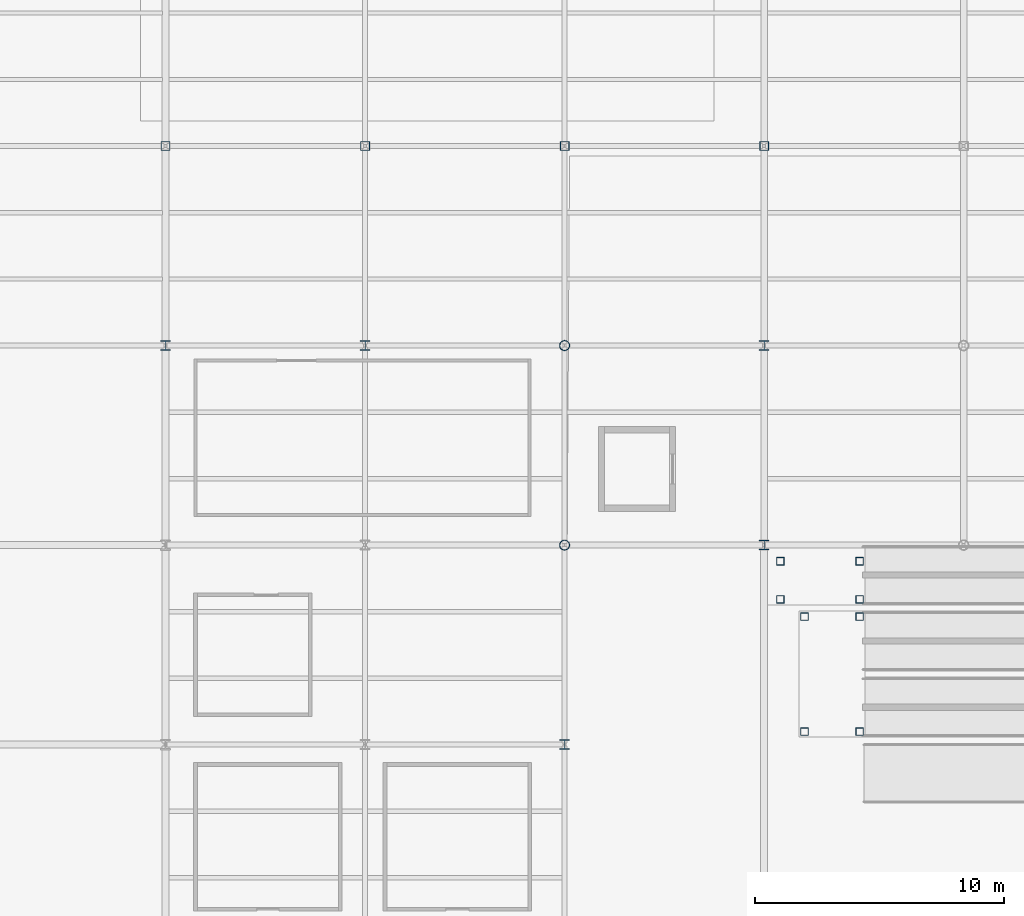
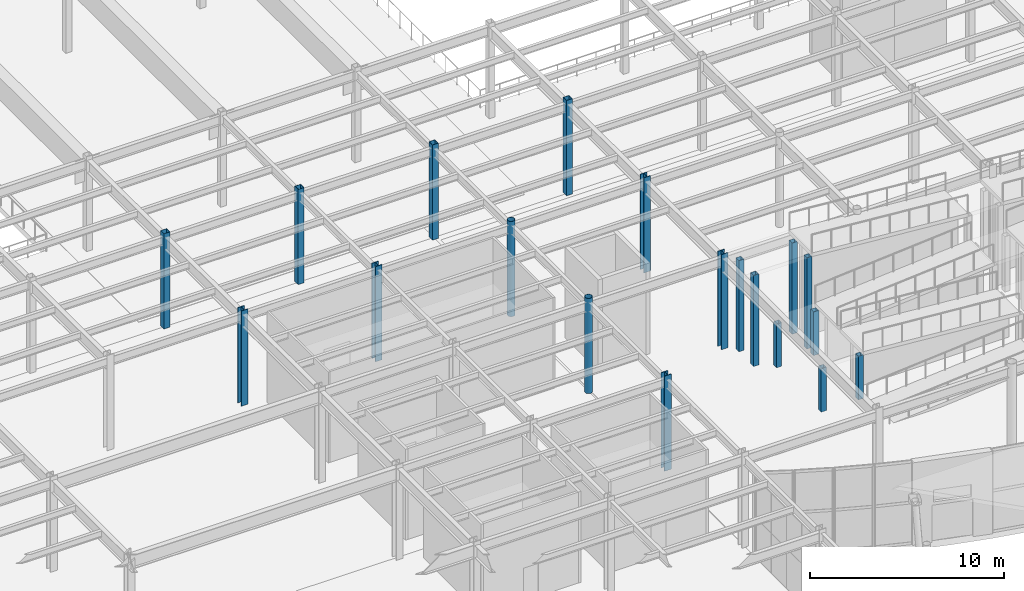
# One storey, part 8 of 82: 19 columns.
"""IFC4 building model written with IfcOpenShell, lengths in metres."""

from ifc_helpers import new_model, si_unit, direction, frame, origin, origin_2d, place, context, subcontext, project, spatial, hollow_rectangle, hollow_circle, i_section, extrude, material, material_profile, profile_set, type_object, element, save


model = new_model("IFC4")

# Units and contexts
model_context = context("Model", 3, precision=1e-05, world=origin(), true_north=direction((0.0, 1.0)))
body_context = subcontext(model_context, "Body", "Model", "MODEL_VIEW")
ifc_project = project(units=[si_unit("LENGTHUNIT", "METRE"), si_unit("AREAUNIT", "SQUARE_METRE"), si_unit("VOLUMEUNIT", "CUBIC_METRE"), si_unit("PLANEANGLEUNIT", "RADIAN"), si_unit("MASSUNIT", "GRAM", prefix="KILO")], contexts=[model_context])

# Site, building, storey
site_placement = place(None, origin())
site = spatial("IfcSite", under=ifc_project, at=site_placement, CompositionType="ELEMENT")
building_placement = place(site_placement, origin())
building = spatial("IfcBuilding", under=site, at=building_placement, Name="Drelvath Fold Interchange", CompositionType="ELEMENT")
storey_placement = place(building_placement, origin())
storey = spatial("IfcBuildingStorey", under=building, at=storey_placement, Name="L00", CompositionType="ELEMENT", Elevation=0.0)

# Columns
ifc_material_1 = material(Name="Steel ASTM A500 Grade C", Category="steel")
ifc_material_profile_1 = material_profile(ifc_material_1, hollow_circle(Radius=0.202880859375, WallThickness=0.014892578125, at=origin_2d()), Name="HSS16.000X0.625")
ifc_profile_set_1 = profile_set([ifc_material_profile_1], Name="Steel ASTM A500 Grade C")
column_type_1 = type_object("IfcColumnType", Name="COL-CHS406", PredefinedType="COLUMN", material=ifc_profile_set_1)
for number, where, z_axis, x_axis, name in (
    (1, (52.0, 43.0, 0.0), (0.0, 0.0, 1.0), (1.0, 0.0, 0.0), "L00 column (52,43)"),
    (2, (52.0, 51.0, 0.0), (0.0, 0.0, 1.0), (1.0, 0.0, 0.0), "L00 column (52,51)"),
):
    element("IfcColumn", number, at=place(storey_placement, frame(where, z_axis=z_axis, x_axis=x_axis)), inside=storey, type_object=column_type_1, Name=name, PredefinedType="COLUMN", context=body_context, shape_type="SweptSolid", body=[
        extrude(hollow_circle(Radius=0.202880859375, WallThickness=0.014892578125, at=origin_2d()), origin(), (0.0, 0.0, 1.0), 6.0),
    ])
ifc_material_profile_2 = material_profile(ifc_material_1, hollow_rectangle(XDim=0.304931640625, YDim=0.304931640625, WallThickness=0.01171875, at=origin_2d()), Name="HSS12X12X1/2")
ifc_profile_set_2 = profile_set([ifc_material_profile_2], Name="Steel ASTM A500 Grade C")
column_type_2 = type_object("IfcColumnType", Name="COL-HSS305", PredefinedType="COLUMN", material=ifc_profile_set_2)
for number, where, z_axis, x_axis, name in (
    (3, (61.6201171875, 35.52001953125, 0.0), (0.0, 0.0, 1.0), (1.0, 0.0, 0.0), "Promenade ramp landing 4 corner post 1"),
    (4, (63.830078125, 35.52001953125, 0.0), (0.0, 0.0, 1.0), (1.0, 0.0, 0.0), "Promenade ramp landing 4 corner post 2"),
    (5, (63.830078125, 40.1298828125, 0.0), (0.0, 0.0, 1.0), (1.0, 0.0, 0.0), "Promenade ramp landing 4 corner post 3"),
    (6, (61.6201171875, 40.1298828125, 0.0), (0.0, 0.0, 1.0), (1.0, 0.0, 0.0), "Promenade ramp landing 4 corner post 4"),
):
    element("IfcColumn", number, at=place(storey_placement, frame(where, z_axis=z_axis, x_axis=x_axis)), inside=storey, type_object=column_type_2, Name=name, PredefinedType="COLUMN", context=body_context, shape_type="SweptSolid", body=[
        extrude(hollow_rectangle(XDim=0.304931640625, YDim=0.304931640625, WallThickness=0.01171875, at=origin_2d()), origin(), (0.0, 0.0, 1.0), 2.75),
    ])
for number, where, z_axis, x_axis, name in (
    (7, (60.64990234375, 40.820068359375, 0.0), (0.0, 0.0, 1.0), (1.0, 0.0, 0.0), "Promenade ramp landing 8 corner post 1"),
    (8, (63.830078125, 40.820068359375, 0.0), (0.0, 0.0, 1.0), (1.0, 0.0, 0.0), "Promenade ramp landing 8 corner post 2"),
    (9, (63.830078125, 42.35009765625, 0.0), (0.0, 0.0, 1.0), (1.0, 0.0, 0.0), "Promenade ramp landing 8 corner post 3"),
    (10, (60.64990234375, 42.35009765625, 0.0), (0.0, 0.0, 1.0), (1.0, 0.0, 0.0), "Promenade ramp landing 8 corner post 4"),
):
    element("IfcColumn", number, at=place(storey_placement, frame(where, z_axis=z_axis, x_axis=x_axis)), inside=storey, type_object=column_type_2, Name=name, PredefinedType="COLUMN", context=body_context, shape_type="SweptSolid", body=[
        extrude(hollow_rectangle(XDim=0.304931640625, YDim=0.304931640625, WallThickness=0.01171875, at=origin_2d()), origin(), (0.0, 0.0, 1.0), 5.75),
    ])
ifc_material_profile_3 = material_profile(ifc_material_1, hollow_rectangle(XDim=0.35595703125, YDim=0.35595703125, WallThickness=0.014892578125, at=origin_2d()), Name="HSS14X14X5/8")
ifc_profile_set_3 = profile_set([ifc_material_profile_3], Name="Steel ASTM A500 Grade C")
column_type_3 = type_object("IfcColumnType", Name="COL-HSS356", PredefinedType="COLUMN", material=ifc_profile_set_3)
for number, where, z_axis, x_axis, name in (
    (11, (36.0, 59.0, 0.0), (0.0, 0.0, 1.0), (1.0, 0.0, 0.0), "L00 column (36,59)"),
    (12, (44.0, 59.0, 0.0), (0.0, 0.0, 1.0), (1.0, 0.0, 0.0), "L00 column (44,59)"),
    (13, (52.0, 59.0, 0.0), (0.0, 0.0, 1.0), (1.0, 0.0, 0.0), "L00 column (52,59)"),
    (14, (60.0, 59.0, 0.0), (0.0, 0.0, 1.0), (1.0, 0.0, 0.0), "L00 column (60,59)"),
):
    element("IfcColumn", number, at=place(storey_placement, frame(where, z_axis=z_axis, x_axis=x_axis)), inside=storey, type_object=column_type_3, Name=name, PredefinedType="COLUMN", context=body_context, shape_type="SweptSolid", body=[
        extrude(hollow_rectangle(XDim=0.35595703125, YDim=0.35595703125, WallThickness=0.014892578125, at=origin_2d()), origin(), (0.0, 0.0, 1.0), 6.0),
    ])
ifc_material_2 = material(Name="Steel ASTM A992 Grade 50", Category="steel")
ifc_material_profile_4 = material_profile(ifc_material_2, i_section(OverallWidth=0.39892578125, OverallDepth=0.39306640625, WebThickness=0.022705078125, FlangeThickness=0.03662109375, at=origin_2d()), Name="W14X193")
ifc_profile_set_4 = profile_set([ifc_material_profile_4], Name="Steel ASTM A992 Grade 50")
column_type_4 = type_object("IfcColumnType", Name="COL-W14X193", PredefinedType="COLUMN", material=ifc_profile_set_4)
for number, where, z_axis, x_axis, name in (
    (15, (36.0, 51.0, 0.0), (0.0, 0.0, 1.0), (1.0, 0.0, 0.0), "L00 column (36,51)"),
    (16, (44.0, 51.0, 0.0), (0.0, 0.0, 1.0), (1.0, 0.0, 0.0), "L00 column (44,51)"),
    (17, (52.0, 35.0, 0.0), (0.0, 0.0, 1.0), (1.0, 0.0, 0.0), "L00 column (52,35)"),
    (18, (60.0, 43.0, 0.0), (0.0, 0.0, 1.0), (1.0, 0.0, 0.0), "L00 column (60,43)"),
    (19, (60.0, 51.0, 0.0), (0.0, 0.0, 1.0), (1.0, 0.0, 0.0), "L00 column (60,51)"),
):
    element("IfcColumn", number, at=place(storey_placement, frame(where, z_axis=z_axis, x_axis=x_axis)), inside=storey, type_object=column_type_4, Name=name, PredefinedType="COLUMN", context=body_context, shape_type="SweptSolid", body=[
        extrude(i_section(OverallWidth=0.39892578125, OverallDepth=0.39306640625, WebThickness=0.022705078125, FlangeThickness=0.03662109375, at=origin_2d()), origin(), (0.0, 0.0, 1.0), 6.0),
    ])

save(model, "model.ifc")
